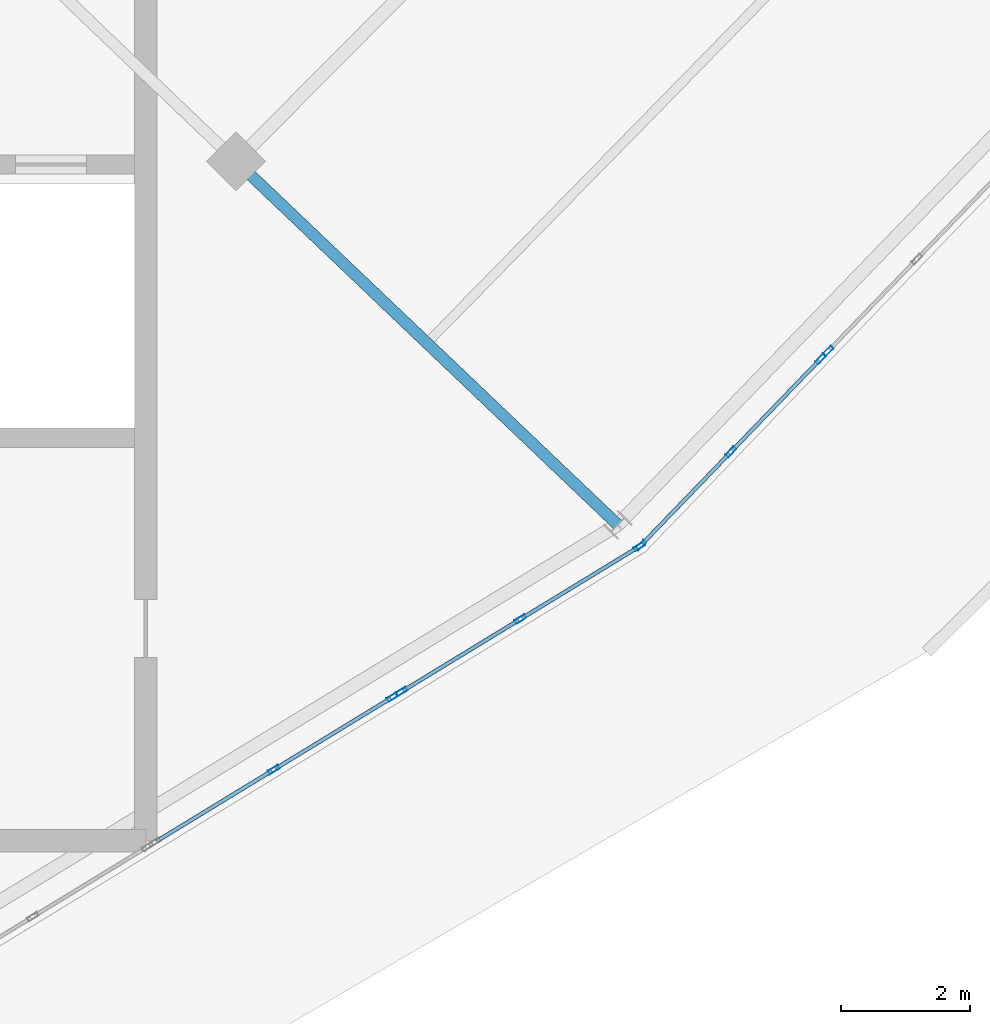
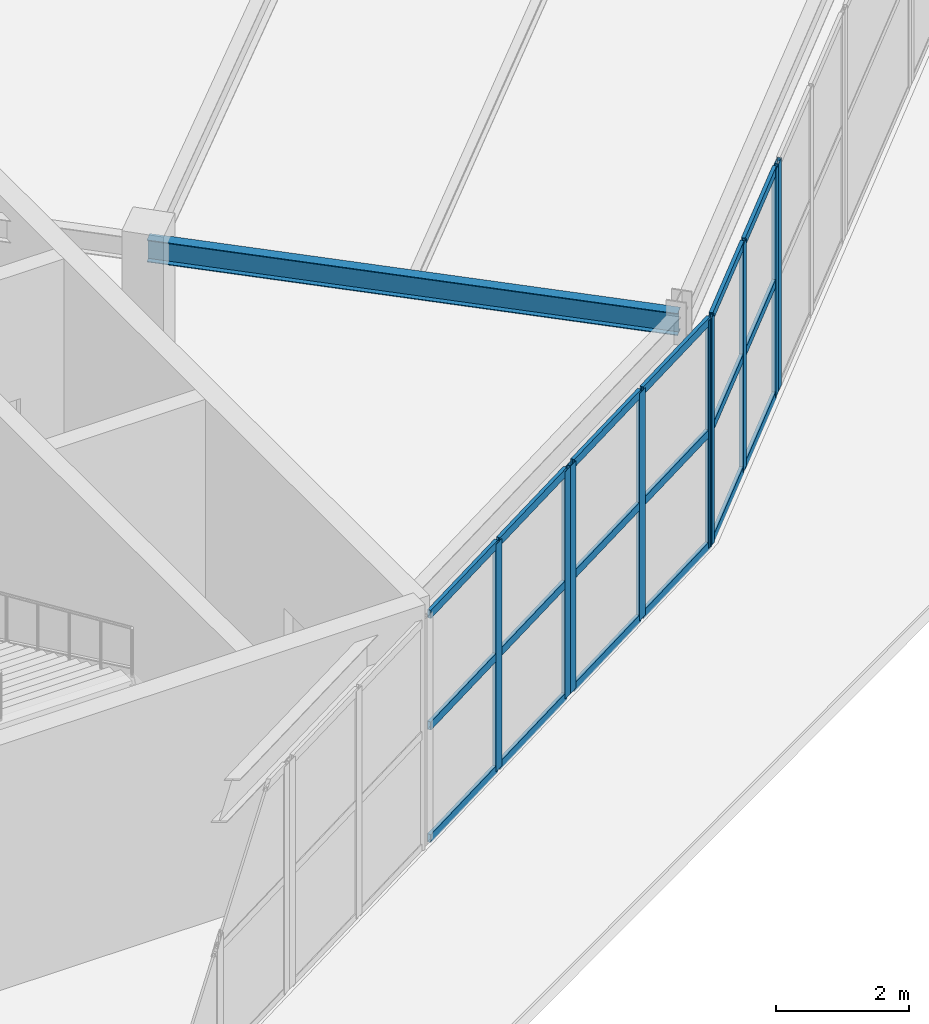
# One storey, part 81 of 126: 27 members, 1 beam, 4 elements without a shape of their own.
"""IFC4 building model written with IfcOpenShell, lengths in metres."""

from ifc_helpers import new_model, si_unit, direction, frame, origin, origin_2d, place, context, subcontext, project, spatial, hollow_rectangle, i_section, extrude, material, layer, layer_set, material_profile, profile_set, type_object, element, aggregate, save


model = new_model("IFC4")

# Units and contexts
model_context = context("Model", 3, precision=1e-05, world=origin(), true_north=direction((0.0, 1.0)))
body_context = subcontext(model_context, "Body", "Model", "MODEL_VIEW")
ifc_project = project(units=[si_unit("LENGTHUNIT", "METRE"), si_unit("AREAUNIT", "SQUARE_METRE"), si_unit("VOLUMEUNIT", "CUBIC_METRE"), si_unit("PLANEANGLEUNIT", "RADIAN"), si_unit("MASSUNIT", "GRAM", prefix="KILO")], contexts=[model_context])

# Site, building, storey
site_placement = place(None, origin())
site = spatial("IfcSite", under=ifc_project, at=site_placement, CompositionType="ELEMENT")
building_placement = place(site_placement, origin())
building = spatial("IfcBuilding", under=site, at=building_placement, Name="Kalgoora Escarpment Arena", CompositionType="ELEMENT")
storey_placement = place(building_placement, frame((0.0, 0.0, 18.89990234375)))
storey = spatial("IfcBuildingStorey", under=building, at=storey_placement, Name="L04", CompositionType="ELEMENT", Elevation=18.89990234375)

# Beam
ifc_material_1 = material(Name="Structural steel AS/NZS 3679 (300 MPa)", Category="steel")
ifc_material_profile_1 = material_profile(ifc_material_1, i_section(OverallWidth=0.177978515625, OverallDepth=0.406005859375, WebThickness=0.0078125, FlangeThickness=0.0126953125, at=origin_2d()))
ifc_profile_set_1 = profile_set([ifc_material_profile_1], Name="Structural steel AS/NZS 3679 (300 MPa)")
beam_type = type_object("IfcBeamType", Name="BM-GIRDER-410UB59.7", PredefinedType="USERDEFINED", material=ifc_profile_set_1)
beam_placement = place(storey_placement, frame((137.230712890625, 29.351806640625, 4.027099609375), z_axis=(0.724130144905, -0.689663347757, 0.0), x_axis=(0.689663347757, 0.724130144905, 0.0)))
element("IfcBeam", 1, at=beam_placement, inside=storey, type_object=beam_type, Name="L04 Radial concourse girder 410UB59.7", ObjectType="GIRDER", PredefinedType="USERDEFINED", context=body_context, shape_type="SweptSolid", body=[
    extrude(i_section(OverallWidth=0.177978515625, OverallDepth=0.406005859375, WebThickness=0.0078125, FlangeThickness=0.0126953125, at=origin_2d()), origin(), (0.0, 0.0, 1.0), 8.20263671875),
])

# Curtain wall, member
ifc_material_2 = material(Name=" Champagne anodised aluminium & double-glazed low-E", Category="aluminium")
ifc_layer_1 = layer(ifc_material_2, 0.154052734375)
ifc_layer_set_1 = layer_set([ifc_layer_1], Name="CW-UNIT-01")
curtain_wall_type_1 = type_object("IfcCurtainWallType", Name="CW-UNIT-01", PredefinedType="NOTDEFINED", material=ifc_layer_set_1)
curtain_wall_1_placement = place(storey_placement, origin())
curtain_wall_1 = element("IfcCurtainWall", 2, at=curtain_wall_1_placement, inside=storey, type_object=curtain_wall_type_1, Name="L04 unitised facade curtain wall 100", PredefinedType="NOTDEFINED")
ifc_material_3 = material(Name="Anodised aluminium 6063-T6", Category="aluminium")
ifc_material_profile_2 = material_profile(ifc_material_3, hollow_rectangle(XDim=0.06494140625, YDim=0.179931640625, WallThickness=0.00390625, at=origin_2d()))
ifc_profile_set_2 = profile_set([ifc_material_profile_2], Name="Anodised aluminium 6063-T6")
member_type_1 = type_object("IfcMemberType", Name="MEM-CW-MULL-180", PredefinedType="MULLION", material=ifc_profile_set_2)
member_1_placement = place(storey_placement, frame((146.44189453125, 26.3955078125, 0.02001953125), z_axis=(0.0, 0.0, 1.0), x_axis=(0.719777208849, -0.694205135116, 0.0)))
member_1 = element("IfcMember", 3, at=member_1_placement, type_object=member_type_1, Name="CW-01 mullion 3", PredefinedType="MULLION", context=body_context, shape_type="SweptSolid", body=[
    extrude(hollow_rectangle(XDim=0.06494140625, YDim=0.179931640625, WallThickness=0.00390625, at=origin_2d()), origin(), (0.0, 0.0, 1.0), 4.170166015625),
])
aggregate(curtain_wall_1, [member_1])

# Curtain wall, members
ifc_material_4 = material(Name=" Champagne anodised aluminium & double-glazed low-E", Category="aluminium")
ifc_layer_2 = layer(ifc_material_4, 0.157958984375)
ifc_layer_set_2 = layer_set([ifc_layer_2], Name="CW-UNIT-02")
curtain_wall_type_2 = type_object("IfcCurtainWallType", Name="CW-UNIT-02", PredefinedType="NOTDEFINED", material=ifc_layer_set_2)
curtain_wall_2_placement = place(storey_placement, origin())
curtain_wall_2 = element("IfcCurtainWall", 4, at=curtain_wall_2_placement, inside=storey, type_object=curtain_wall_type_2, Name="L04 unitised facade curtain wall 101", PredefinedType="NOTDEFINED")
member_2_placement = place(storey_placement, frame((146.3271484375, 26.27685546875, 0.02001953125), z_axis=(0.0, 0.0, 1.0), x_axis=(0.719779772297, -0.69420247723, 0.0)))
member_2 = element("IfcMember", 5, at=member_2_placement, type_object=member_type_1, Name="CW-02 mullion 1", PredefinedType="MULLION", context=body_context, shape_type="SweptSolid", body=[
    extrude(hollow_rectangle(XDim=0.06494140625, YDim=0.179931640625, WallThickness=0.00390625, at=origin_2d()), origin(), (0.0, 0.0, 1.0), 4.170166015625),
])
member_3_placement = place(storey_placement, frame((144.928955078125, 24.8271484375, 0.02001953125), z_axis=(0.0, 0.0, 1.0), x_axis=(0.719779772297, -0.69420247723, 0.0)))
member_3 = element("IfcMember", 6, at=member_3_placement, type_object=member_type_1, Name="CW-02 mullion 2", PredefinedType="MULLION", context=body_context, shape_type="SweptSolid", body=[
    extrude(hollow_rectangle(XDim=0.06494140625, YDim=0.179931640625, WallThickness=0.00390625, at=origin_2d()), origin(), (0.0, 0.0, 1.0), 4.170166015625),
])
member_4_placement = place(storey_placement, frame((143.53076171875, 23.377197265625, 0.02001953125), z_axis=(0.0, 0.0, 1.0), x_axis=(0.719779772297, -0.69420247723, 0.0)))
member_4 = element("IfcMember", 7, at=member_4_placement, type_object=member_type_1, Name="CW-02 mullion 3", PredefinedType="MULLION", context=body_context, shape_type="SweptSolid", body=[
    extrude(hollow_rectangle(XDim=0.06494140625, YDim=0.179931640625, WallThickness=0.00390625, at=origin_2d()), origin(), (0.0, 0.0, 1.0), 4.170166015625),
])

ifc_material_5 = material(Name=" Champagne anodised aluminium & double-glazed low-E", Category="aluminium")
ifc_layer_3 = layer(ifc_material_5, 0.162109375)
ifc_layer_set_3 = layer_set([ifc_layer_3], Name="CW-UNIT-03")
curtain_wall_type_3 = type_object("IfcCurtainWallType", Name="CW-UNIT-03", PredefinedType="NOTDEFINED", material=ifc_layer_set_3)
curtain_wall_3_placement = place(storey_placement, origin())
curtain_wall_3 = element("IfcCurtainWall", 8, at=curtain_wall_3_placement, inside=storey, type_object=curtain_wall_type_3, Name="L04 unitised facade curtain wall 102", PredefinedType="NOTDEFINED")
member_5_placement = place(storey_placement, frame((143.504150390625, 23.35595703125, 0.02001953125), z_axis=(0.0, 0.0, 1.0), x_axis=(0.521039836105, -0.85353235978, 0.0)))
member_5 = element("IfcMember", 9, at=member_5_placement, type_object=member_type_1, Name="CW-03 mullion 1", PredefinedType="MULLION", context=body_context, shape_type="SweptSolid", body=[
    extrude(hollow_rectangle(XDim=0.06494140625, YDim=0.179931640625, WallThickness=0.00390625, at=origin_2d()), origin(), (0.0, 0.0, 1.0), 4.170166015625),
])
member_6_placement = place(storey_placement, frame((141.65478515625, 22.22705078125, 0.02001953125), z_axis=(0.0, 0.0, 1.0), x_axis=(0.521039836105, -0.85353235978, 0.0)))
member_6 = element("IfcMember", 10, at=member_6_placement, type_object=member_type_1, Name="CW-03 mullion 2", PredefinedType="MULLION", context=body_context, shape_type="SweptSolid", body=[
    extrude(hollow_rectangle(XDim=0.06494140625, YDim=0.179931640625, WallThickness=0.00390625, at=origin_2d()), origin(), (0.0, 0.0, 1.0), 4.170166015625),
])
member_7_placement = place(storey_placement, frame((139.80517578125, 21.097900390625, 0.02001953125), z_axis=(0.0, 0.0, 1.0), x_axis=(0.521039836105, -0.85353235978, 0.0)))
member_7 = element("IfcMember", 11, at=member_7_placement, type_object=member_type_1, Name="CW-03 mullion 3", PredefinedType="MULLION", context=body_context, shape_type="SweptSolid", body=[
    extrude(hollow_rectangle(XDim=0.06494140625, YDim=0.179931640625, WallThickness=0.00390625, at=origin_2d()), origin(), (0.0, 0.0, 1.0), 4.170166015625),
])

ifc_material_6 = material(Name=" Champagne anodised aluminium & double-glazed low-E", Category="aluminium")
ifc_layer_4 = layer(ifc_material_6, 0.166015625)
ifc_layer_set_4 = layer_set([ifc_layer_4], Name="CW-UNIT-04")
curtain_wall_type_4 = type_object("IfcCurtainWallType", Name="CW-UNIT-04", PredefinedType="NOTDEFINED", material=ifc_layer_set_4)
curtain_wall_4_placement = place(storey_placement, origin())
curtain_wall_4 = element("IfcCurtainWall", 12, at=curtain_wall_4_placement, inside=storey, type_object=curtain_wall_type_4, Name="L04 unitised facade curtain wall 103", PredefinedType="NOTDEFINED")
member_8_placement = place(storey_placement, frame((139.664306640625, 21.011962890625, 0.02001953125), z_axis=(0.0, 0.0, 1.0), x_axis=(0.52106650732, -0.853516077733, 0.0)))
member_8 = element("IfcMember", 13, at=member_8_placement, type_object=member_type_1, Name="CW-04 mullion 1", PredefinedType="MULLION", context=body_context, shape_type="SweptSolid", body=[
    extrude(hollow_rectangle(XDim=0.06494140625, YDim=0.179931640625, WallThickness=0.00390625, at=origin_2d()), origin(), (0.0, 0.0, 1.0), 4.170166015625),
])
member_9_placement = place(storey_placement, frame((137.814697265625, 19.8828125, 0.02001953125), z_axis=(0.0, 0.0, 1.0), x_axis=(0.52106650732, -0.853516077733, 0.0)))
member_9 = element("IfcMember", 14, at=member_9_placement, type_object=member_type_1, Name="CW-04 mullion 2", PredefinedType="MULLION", context=body_context, shape_type="SweptSolid", body=[
    extrude(hollow_rectangle(XDim=0.06494140625, YDim=0.179931640625, WallThickness=0.00390625, at=origin_2d()), origin(), (0.0, 0.0, 1.0), 4.170166015625),
])

# Member
ifc_material_7 = material(Name="Anodised aluminium 6063-T6", Category="aluminium")
ifc_material_profile_3 = material_profile(ifc_material_7, hollow_rectangle(XDim=0.06005859375, YDim=0.14990234375, WallThickness=0.00341796875, at=origin_2d()))
ifc_profile_set_3 = profile_set([ifc_material_profile_3], Name="Anodised aluminium 6063-T6")
member_type_2 = type_object("IfcMemberType", Name="MEM-CW-TRAN-150", PredefinedType="USERDEFINED", material=ifc_profile_set_3)
member_10_placement = place(storey_placement, frame((146.3046875, 26.25341796875, 0.050048828125), z_axis=(-0.694279271093, -0.719705699387, 0.0), x_axis=(0.719705699387, -0.694279271093, 0.0)))
member_10 = element("IfcMember", 15, at=member_10_placement, type_object=member_type_2, Name="CW-02 transom 1.1", ObjectType="TRANSOM", PredefinedType="USERDEFINED", context=body_context, shape_type="SweptSolid", body=[
    extrude(hollow_rectangle(XDim=0.06005859375, YDim=0.14990234375, WallThickness=0.00341796875, at=origin_2d()), origin(), (0.0, 0.0, 1.0), 1.94921875),
])

member_11_placement = place(storey_placement, frame((146.3046875, 26.25341796875, 2.114990234375), z_axis=(-0.694279271093, -0.719705699387, 0.0), x_axis=(0.719705699387, -0.694279271093, 0.0)))
member_11 = element("IfcMember", 16, at=member_11_placement, type_object=member_type_2, Name="CW-02 transom 1.2", ObjectType="TRANSOM", PredefinedType="USERDEFINED", context=body_context, shape_type="SweptSolid", body=[
    extrude(hollow_rectangle(XDim=0.06005859375, YDim=0.14990234375, WallThickness=0.00341796875, at=origin_2d()), origin(), (0.0, 0.0, 1.0), 1.94921875),
])

member_12_placement = place(storey_placement, frame((146.3046875, 26.25341796875, 4.16015625), z_axis=(-0.694279271093, -0.719705699387, 0.0), x_axis=(0.719705699387, -0.694279271093, 0.0)))
member_12 = element("IfcMember", 17, at=member_12_placement, type_object=member_type_2, Name="CW-02 transom 1.3", ObjectType="TRANSOM", PredefinedType="USERDEFINED", context=body_context, shape_type="SweptSolid", body=[
    extrude(hollow_rectangle(XDim=0.06005859375, YDim=0.14990234375, WallThickness=0.00341796875, at=origin_2d()), origin(), (0.0, 0.0, 1.0), 1.94921875),
])

member_13_placement = place(storey_placement, frame((144.906494140625, 24.8037109375, 0.050048828125), z_axis=(-0.694216687928, -0.719766066304, 0.0), x_axis=(0.719766066304, -0.694216687928, 0.0)))
member_13 = element("IfcMember", 18, at=member_13_placement, type_object=member_type_2, Name="CW-02 transom 2.1", ObjectType="TRANSOM", PredefinedType="USERDEFINED", context=body_context, shape_type="SweptSolid", body=[
    extrude(hollow_rectangle(XDim=0.06005859375, YDim=0.14990234375, WallThickness=0.00341796875, at=origin_2d()), origin(), (0.0, 0.0, 1.0), 1.949462890625),
])

member_14_placement = place(storey_placement, frame((144.906494140625, 24.8037109375, 2.114990234375), z_axis=(-0.694216687928, -0.719766066304, 0.0), x_axis=(0.719766066304, -0.694216687928, 0.0)))
member_14 = element("IfcMember", 19, at=member_14_placement, type_object=member_type_2, Name="CW-02 transom 2.2", ObjectType="TRANSOM", PredefinedType="USERDEFINED", context=body_context, shape_type="SweptSolid", body=[
    extrude(hollow_rectangle(XDim=0.06005859375, YDim=0.14990234375, WallThickness=0.00341796875, at=origin_2d()), origin(), (0.0, 0.0, 1.0), 1.949462890625),
])

member_15_placement = place(storey_placement, frame((144.906494140625, 24.8037109375, 4.16015625), z_axis=(-0.694216687928, -0.719766066304, 0.0), x_axis=(0.719766066304, -0.694216687928, 0.0)))
member_15 = element("IfcMember", 20, at=member_15_placement, type_object=member_type_2, Name="CW-02 transom 2.3", ObjectType="TRANSOM", PredefinedType="USERDEFINED", context=body_context, shape_type="SweptSolid", body=[
    extrude(hollow_rectangle(XDim=0.06005859375, YDim=0.14990234375, WallThickness=0.00341796875, at=origin_2d()), origin(), (0.0, 0.0, 1.0), 1.949462890625),
])

aggregate(curtain_wall_2, [member_2, member_3, member_4, member_10, member_11, member_12, member_13, member_14, member_15])

member_16_placement = place(storey_placement, frame((143.4765625, 23.339111328125, 0.050048828125), z_axis=(-0.853542985528, -0.521022429321, 0.0), x_axis=(0.521022429321, -0.853542985528, 0.0)))
member_16 = element("IfcMember", 21, at=member_16_placement, type_object=member_type_2, Name="CW-03 transom 1.1", ObjectType="TRANSOM", PredefinedType="USERDEFINED", context=body_context, shape_type="SweptSolid", body=[
    extrude(hollow_rectangle(XDim=0.06005859375, YDim=0.14990234375, WallThickness=0.00341796875, at=origin_2d()), origin(), (0.0, 0.0, 1.0), 2.10205078125),
])

member_17_placement = place(storey_placement, frame((143.4765625, 23.339111328125, 2.114990234375), z_axis=(-0.853542985528, -0.521022429321, 0.0), x_axis=(0.521022429321, -0.853542985528, 0.0)))
member_17 = element("IfcMember", 22, at=member_17_placement, type_object=member_type_2, Name="CW-03 transom 1.2", ObjectType="TRANSOM", PredefinedType="USERDEFINED", context=body_context, shape_type="SweptSolid", body=[
    extrude(hollow_rectangle(XDim=0.06005859375, YDim=0.14990234375, WallThickness=0.00341796875, at=origin_2d()), origin(), (0.0, 0.0, 1.0), 2.10205078125),
])

member_18_placement = place(storey_placement, frame((143.4765625, 23.339111328125, 4.16015625), z_axis=(-0.853542985528, -0.521022429321, 0.0), x_axis=(0.521022429321, -0.853542985528, 0.0)))
member_18 = element("IfcMember", 23, at=member_18_placement, type_object=member_type_2, Name="CW-03 transom 1.3", ObjectType="TRANSOM", PredefinedType="USERDEFINED", context=body_context, shape_type="SweptSolid", body=[
    extrude(hollow_rectangle(XDim=0.06005859375, YDim=0.14990234375, WallThickness=0.00341796875, at=origin_2d()), origin(), (0.0, 0.0, 1.0), 2.10205078125),
])

member_19_placement = place(storey_placement, frame((141.626953125, 22.2099609375, 0.050048828125), z_axis=(-0.853542985528, -0.521022429321, 0.0), x_axis=(0.521022429321, -0.853542985528, 0.0)))
member_19 = element("IfcMember", 24, at=member_19_placement, type_object=member_type_2, Name="CW-03 transom 2.1", ObjectType="TRANSOM", PredefinedType="USERDEFINED", context=body_context, shape_type="SweptSolid", body=[
    extrude(hollow_rectangle(XDim=0.06005859375, YDim=0.14990234375, WallThickness=0.00341796875, at=origin_2d()), origin(), (0.0, 0.0, 1.0), 2.10205078125),
])

member_20_placement = place(storey_placement, frame((141.626953125, 22.2099609375, 2.114990234375), z_axis=(-0.853542985528, -0.521022429321, 0.0), x_axis=(0.521022429321, -0.853542985528, 0.0)))
member_20 = element("IfcMember", 25, at=member_20_placement, type_object=member_type_2, Name="CW-03 transom 2.2", ObjectType="TRANSOM", PredefinedType="USERDEFINED", context=body_context, shape_type="SweptSolid", body=[
    extrude(hollow_rectangle(XDim=0.06005859375, YDim=0.14990234375, WallThickness=0.00341796875, at=origin_2d()), origin(), (0.0, 0.0, 1.0), 2.10205078125),
])

member_21_placement = place(storey_placement, frame((141.626953125, 22.2099609375, 4.16015625), z_axis=(-0.853542985528, -0.521022429321, 0.0), x_axis=(0.521022429321, -0.853542985528, 0.0)))
member_21 = element("IfcMember", 26, at=member_21_placement, type_object=member_type_2, Name="CW-03 transom 2.3", ObjectType="TRANSOM", PredefinedType="USERDEFINED", context=body_context, shape_type="SweptSolid", body=[
    extrude(hollow_rectangle(XDim=0.06005859375, YDim=0.14990234375, WallThickness=0.00341796875, at=origin_2d()), origin(), (0.0, 0.0, 1.0), 2.10205078125),
])

aggregate(curtain_wall_3, [member_5, member_6, member_7, member_16, member_17, member_18, member_19, member_20, member_21])

member_22_placement = place(storey_placement, frame((139.636474609375, 20.9951171875, 0.050048828125), z_axis=(-0.853511451854, -0.521074084515, 0.0), x_axis=(0.521074084515, -0.853511451854, 0.0)))
member_22 = element("IfcMember", 27, at=member_22_placement, type_object=member_type_2, Name="CW-04 transom 1.1", ObjectType="TRANSOM", PredefinedType="USERDEFINED", context=body_context, shape_type="SweptSolid", body=[
    extrude(hollow_rectangle(XDim=0.06005859375, YDim=0.14990234375, WallThickness=0.00341796875, at=origin_2d()), origin(), (0.0, 0.0, 1.0), 2.101806640625),
])

member_23_placement = place(storey_placement, frame((139.636474609375, 20.9951171875, 2.114990234375), z_axis=(-0.853511451854, -0.521074084515, 0.0), x_axis=(0.521074084515, -0.853511451854, 0.0)))
member_23 = element("IfcMember", 28, at=member_23_placement, type_object=member_type_2, Name="CW-04 transom 1.2", ObjectType="TRANSOM", PredefinedType="USERDEFINED", context=body_context, shape_type="SweptSolid", body=[
    extrude(hollow_rectangle(XDim=0.06005859375, YDim=0.14990234375, WallThickness=0.00341796875, at=origin_2d()), origin(), (0.0, 0.0, 1.0), 2.101806640625),
])

member_24_placement = place(storey_placement, frame((139.636474609375, 20.9951171875, 4.16015625), z_axis=(-0.853511451854, -0.521074084515, 0.0), x_axis=(0.521074084515, -0.853511451854, 0.0)))
member_24 = element("IfcMember", 29, at=member_24_placement, type_object=member_type_2, Name="CW-04 transom 1.3", ObjectType="TRANSOM", PredefinedType="USERDEFINED", context=body_context, shape_type="SweptSolid", body=[
    extrude(hollow_rectangle(XDim=0.06005859375, YDim=0.14990234375, WallThickness=0.00341796875, at=origin_2d()), origin(), (0.0, 0.0, 1.0), 2.101806640625),
])

member_25_placement = place(storey_placement, frame((137.787109375, 19.865966796875, 0.050048828125), z_axis=(-0.853542985528, -0.521022429321, 0.0), x_axis=(0.521022429321, -0.853542985528, 0.0)))
member_25 = element("IfcMember", 30, at=member_25_placement, type_object=member_type_2, Name="CW-04 transom 2.1", ObjectType="TRANSOM", PredefinedType="USERDEFINED", context=body_context, shape_type="SweptSolid", body=[
    extrude(hollow_rectangle(XDim=0.06005859375, YDim=0.14990234375, WallThickness=0.00341796875, at=origin_2d()), origin(), (0.0, 0.0, 1.0), 2.10205078125),
])

member_26_placement = place(storey_placement, frame((137.787109375, 19.865966796875, 2.114990234375), z_axis=(-0.853542985528, -0.521022429321, 0.0), x_axis=(0.521022429321, -0.853542985528, 0.0)))
member_26 = element("IfcMember", 31, at=member_26_placement, type_object=member_type_2, Name="CW-04 transom 2.2", ObjectType="TRANSOM", PredefinedType="USERDEFINED", context=body_context, shape_type="SweptSolid", body=[
    extrude(hollow_rectangle(XDim=0.06005859375, YDim=0.14990234375, WallThickness=0.00341796875, at=origin_2d()), origin(), (0.0, 0.0, 1.0), 2.10205078125),
])

member_27_placement = place(storey_placement, frame((137.787109375, 19.865966796875, 4.16015625), z_axis=(-0.853542985528, -0.521022429321, 0.0), x_axis=(0.521022429321, -0.853542985528, 0.0)))
member_27 = element("IfcMember", 32, at=member_27_placement, type_object=member_type_2, Name="CW-04 transom 2.3", ObjectType="TRANSOM", PredefinedType="USERDEFINED", context=body_context, shape_type="SweptSolid", body=[
    extrude(hollow_rectangle(XDim=0.06005859375, YDim=0.14990234375, WallThickness=0.00341796875, at=origin_2d()), origin(), (0.0, 0.0, 1.0), 2.10205078125),
])

aggregate(curtain_wall_4, [member_8, member_9, member_22, member_23, member_24, member_25, member_26, member_27])

save(model, "model.ifc")
